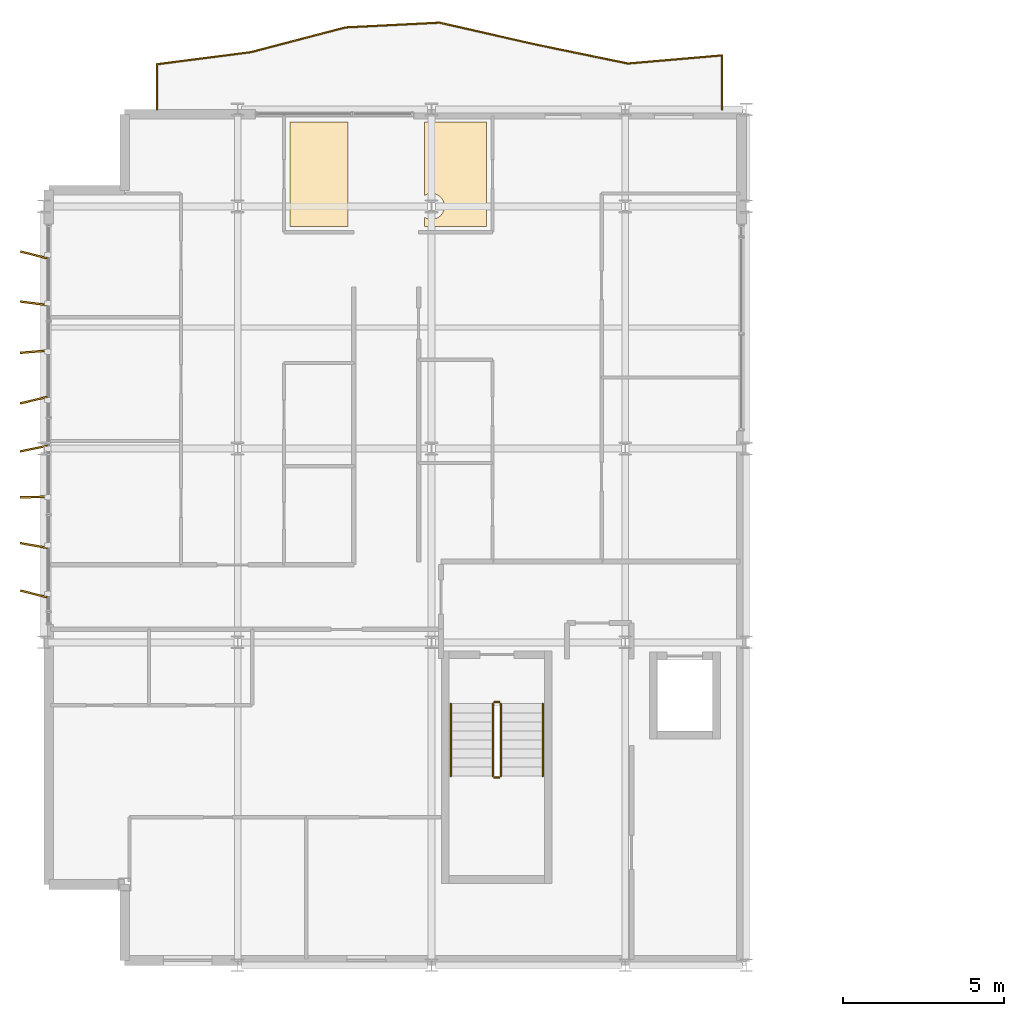
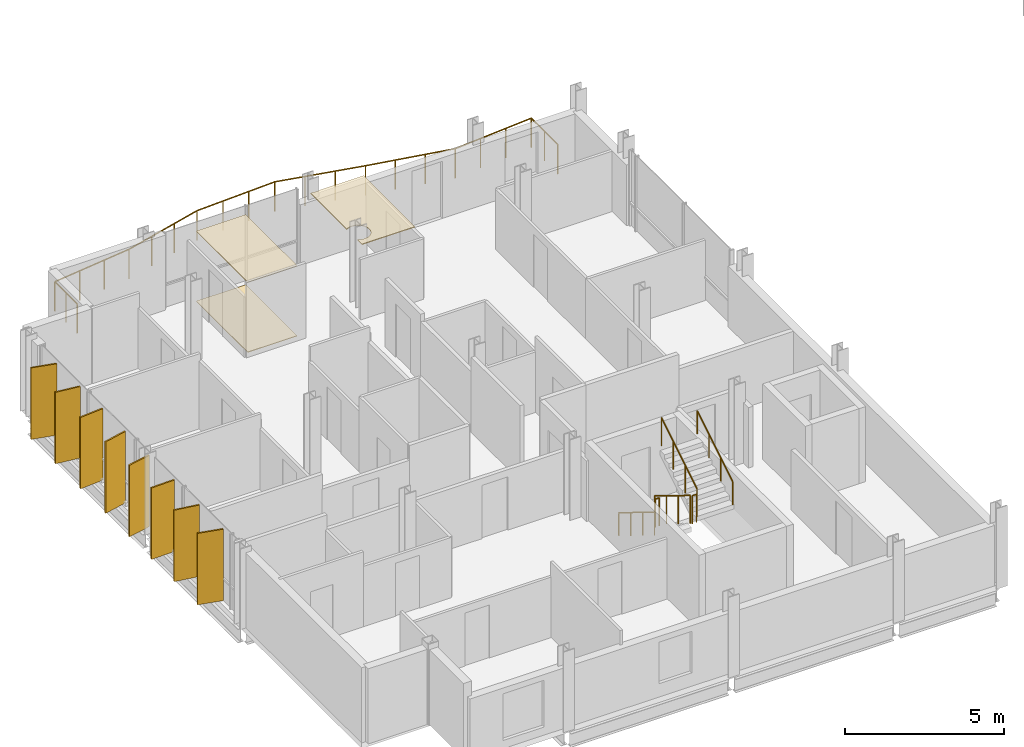
# One storey, part 27 of 28: 8 shading devices, 7 railings, 3 coverings.
"""IFC4 building model written with IfcOpenShell, lengths in metres."""

from ifc_helpers import new_model, si_unit, direction, frame, origin, origin_2d, place, context, subcontext, project, spatial, polyline, rectangle, circle, outline, extrude, material, layer, layer_set, type_object, element, save


model = new_model("IFC4")

# Units and contexts
model_context = context("Model", 3, precision=1e-05, world=origin(), true_north=direction((0.0, 1.0)))
body_context = subcontext(model_context, "Body", "Model", "MODEL_VIEW")
ifc_project = project(units=[si_unit("LENGTHUNIT", "METRE"), si_unit("AREAUNIT", "SQUARE_METRE"), si_unit("VOLUMEUNIT", "CUBIC_METRE"), si_unit("PLANEANGLEUNIT", "RADIAN"), si_unit("MASSUNIT", "GRAM", prefix="KILO")], contexts=[model_context])

# Site, building, storey
site_placement = place(None, origin())
site = spatial("IfcSite", under=ifc_project, at=site_placement, CompositionType="ELEMENT")
building_placement = place(site_placement, origin())
building = spatial("IfcBuilding", under=site, at=building_placement, Name="Brevholm Reach", CompositionType="ELEMENT")
storey_placement = place(building_placement, frame((0.0, 0.0, 192.5)))
storey = spatial("IfcBuildingStorey", under=building, at=storey_placement, Name="L58", CompositionType="ELEMENT", Elevation=192.5)

# Coverings
ifc_material_1 = material(Name="Moisture-Resistant Skimmed Gypsum Plasterboard Ceiling", Category="gypsum")
ifc_layer_1 = layer(ifc_material_1, 0.030029296875)
ifc_layer_set_1 = layer_set([ifc_layer_1], Name="Moisture-Resistant Skimmed Gypsum Plasterboard Ceiling")
covering_type_1 = type_object("IfcCoveringType", Name="COV-CLG-GYP", PredefinedType="CEILING", material=ifc_layer_set_1)
covering_1_placement = place(storey_placement, frame((0.0, 0.0, 2.68994140625)))
element("IfcCovering", 1, at=covering_1_placement, inside=storey, type_object=covering_type_1, Name="L58 Suspended Ceiling L58-28", PredefinedType="CEILING", context=body_context, shape_type="SweptSolid", body=[
    extrude(outline(polyline([(7.617919921875, 26.1201171875), (9.419921875, 26.1201171875), (9.419921875, 22.8798828125), (7.617919921875, 22.8798828125), (7.617919921875, 26.1201171875)])), origin(), (0.0, 0.0, 1.0), 0.030029296875),
])
covering_2_placement = place(storey_placement, frame((0.0, 0.0, 2.68994140625)))
element("IfcCovering", 2, at=covering_2_placement, inside=storey, type_object=covering_type_1, Name="L58 Suspended Ceiling L58-35", PredefinedType="CEILING", context=body_context, shape_type="SweptSolid", body=[
    extrude(outline(polyline([(11.780029296875, 23.166015625), (11.811279296875, 23.147216796875), (11.846923828125, 23.13037109375), (11.8837890625, 23.1171875), (11.922119140625, 23.107666015625), (11.960693359375, 23.101806640625), (12.0, 23.10009765625), (12.039306640625, 23.101806640625), (12.077880859375, 23.107666015625), (12.1162109375, 23.1171875), (12.153076171875, 23.13037109375), (12.188720703125, 23.147216796875), (12.22216796875, 23.16748046875), (12.25390625, 23.19091796875), (12.28271484375, 23.21728515625), (12.30908203125, 23.24609375), (12.33251953125, 23.27783203125), (12.352783203125, 23.311279296875), (12.36962890625, 23.346923828125), (12.3828125, 23.3837890625), (12.392333984375, 23.422119140625), (12.398193359375, 23.460693359375), (12.39990234375, 23.5), (12.398193359375, 23.539306640625), (12.392333984375, 23.577880859375), (12.3828125, 23.6162109375), (12.36962890625, 23.653076171875), (12.352783203125, 23.688720703125), (12.33251953125, 23.72216796875), (12.30908203125, 23.75390625), (12.28271484375, 23.78271484375), (12.25390625, 23.80908203125), (12.22216796875, 23.83251953125), (12.188720703125, 23.852783203125), (12.153076171875, 23.86962890625), (12.1162109375, 23.8828125), (12.077880859375, 23.892333984375), (12.039306640625, 23.898193359375), (12.0, 23.89990234375), (11.960693359375, 23.898193359375), (11.922119140625, 23.892333984375), (11.8837890625, 23.8828125), (11.846923828125, 23.86962890625), (11.811279296875, 23.852783203125), (11.780029296875, 23.833984375), (11.780029296875, 26.1201171875), (11.876220703125, 26.1201171875), (11.8837890625, 26.1171875), (11.922119140625, 26.107666015625), (11.960693359375, 26.101806640625), (12.0, 26.10009765625), (12.039306640625, 26.101806640625), (12.077880859375, 26.107666015625), (12.1162109375, 26.1171875), (12.123779296875, 26.1201171875), (13.708984375, 26.1201171875), (13.708984375, 22.8798828125), (11.780029296875, 22.8798828125), (11.780029296875, 23.166015625)])), origin(), (0.0, 0.0, 1.0), 0.030029296875),
])
ifc_material_2 = material(Name="Engineered European Oak Acoustic Plank Flooring", Category="timber")
ifc_layer_2 = layer(ifc_material_2, 0.02197265625)
ifc_layer_set_2 = layer_set([ifc_layer_2], Name="Engineered European Oak Acoustic Plank Flooring")
covering_type_2 = type_object("IfcCoveringType", Name="COV-FLR-OAK", PredefinedType="FLOORING", material=ifc_layer_set_2)
covering_3_placement = place(storey_placement, origin())
element("IfcCovering", 3, at=covering_3_placement, inside=storey, type_object=covering_type_2, Name="L58 Floor Finish L58-28", PredefinedType="FLOORING", context=body_context, shape_type="SweptSolid", body=[
    extrude(outline(polyline([(7.617919921875, 26.1201171875), (9.419921875, 26.1201171875), (9.419921875, 22.8798828125), (7.617919921875, 22.8798828125), (7.617919921875, 26.1201171875)])), origin(), (0.0, 0.0, 1.0), 0.02197265625),
])

# Railings
ifc_material_3 = material(Name="Brushed Stainless Steel EN 1.4401 and Laminated Glass", Category="steel")
railing_type_1 = type_object("IfcRailingType", Name="RAL-BALC-1150", PredefinedType="BALUSTRADE", material=ifc_material_3)
railing_1_placement = place(storey_placement, frame((21.0, 26.5, 0.0)))
element("IfcRailing", 4, at=railing_1_placement, inside=storey, type_object=railing_type_1, Name="L58 Guard Balustrade RAL-L58-BAL-NW", PredefinedType="BALUSTRADE", context=body_context, shape_type="SweptSolid", body=[
    extrude(circle(Radius=0.02392578125, at=origin_2d()), frame((0.0, 0.0, 1.1259765625), z_axis=(0.0, 1.0, 0.0), x_axis=(-1.0, 0.0, 0.0)), (0.0, 0.0, 1.0), 1.67822265625),
    extrude(circle(Radius=0.02392578125, at=origin_2d()), frame((0.0, 1.67822265625, 1.1259765625), z_axis=(-0.996282713287, -0.086143805376, 0.0), x_axis=(0.086143805376, -0.996282713287, 0.0)), (0.0, 0.0, 1.0), 2.927734375),
    extrude(circle(Radius=0.02392578125, at=origin_2d()), frame((-2.916748046875, 1.426025390625, 1.1259765625), z_axis=(-0.979367411888, 0.202087784221, 0.0), x_axis=(-0.202087784221, -0.979367411888, 0.0)), (0.0, 0.0, 1.0), 2.97802734375),
    extrude(circle(Radius=0.02392578125, at=origin_2d()), frame((-5.833251953125, 2.02783203125, 1.1259765625), z_axis=(-0.975066268344, 0.221913884961, 0.0), x_axis=(-0.221913884961, -0.975066268344, 0.0)), (0.0, 0.0, 1.0), 2.991455078125),
    extrude(circle(Radius=0.02392578125, at=origin_2d()), frame((-8.75, 2.691650390625, 1.1259765625), z_axis=(-0.998720239463, -0.050575520622, 0.0), x_axis=(0.050575520622, -0.998720239463, 0.0)), (0.0, 0.0, 1.0), 2.92041015625),
    extrude(circle(Radius=0.02392578125, at=origin_2d()), frame((-11.666748046875, 2.5439453125, 1.1259765625), z_axis=(-0.967287116441, -0.253684123205, 0.0), x_axis=(0.253684123205, -0.967287116441, 0.0)), (0.0, 0.0, 1.0), 3.01513671875),
    extrude(circle(Radius=0.02392578125, at=origin_2d()), frame((-14.583251953125, 1.779052734375, 1.1259765625), z_axis=(-0.991825721968, -0.127599910828, 0.0), x_axis=(0.127599910828, -0.991825721968, 0.0)), (0.0, 0.0, 1.0), 2.940673828125),
    extrude(circle(Radius=0.02392578125, at=origin_2d()), frame((-17.5, 1.40380859375, 1.1259765625), z_axis=(0.0, -1.0, 0.0), x_axis=(1.0, 0.0, 0.0)), (0.0, 0.0, 1.0), 1.40380859375),
    extrude(circle(Radius=0.02099609375, at=origin_2d()), origin(), (0.0, 0.0, 1.0), 1.101806640625),
    extrude(circle(Radius=0.02099609375, at=origin_2d()), frame((0.0, 0.839111328125, 0.0)), (0.0, 0.0, 1.0), 1.101806640625),
    extrude(circle(Radius=0.02099609375, at=origin_2d()), frame((0.0, 1.67822265625, 0.0)), (0.0, 0.0, 1.0), 1.101806640625),
    extrude(circle(Radius=0.02099609375, at=origin_2d()), frame((-0.97216796875, 1.59423828125, 0.0)), (0.0, 0.0, 1.0), 1.101806640625),
    extrude(circle(Radius=0.02099609375, at=origin_2d()), frame((-1.944580078125, 1.510009765625, 0.0)), (0.0, 0.0, 1.0), 1.101806640625),
    extrude(circle(Radius=0.02099609375, at=origin_2d()), frame((-2.916748046875, 1.426025390625, 0.0)), (0.0, 0.0, 1.0), 1.101806640625),
    extrude(circle(Radius=0.02099609375, at=origin_2d()), frame((-3.888916015625, 1.626708984375, 0.0)), (0.0, 0.0, 1.0), 1.101806640625),
    extrude(circle(Radius=0.02099609375, at=origin_2d()), frame((-4.861083984375, 1.8271484375, 0.0)), (0.0, 0.0, 1.0), 1.101806640625),
    extrude(circle(Radius=0.02099609375, at=origin_2d()), frame((-5.833251953125, 2.02783203125, 0.0)), (0.0, 0.0, 1.0), 1.101806640625),
    extrude(circle(Radius=0.02099609375, at=origin_2d()), frame((-6.805419921875, 2.2490234375, 0.0)), (0.0, 0.0, 1.0), 1.101806640625),
    extrude(circle(Radius=0.02099609375, at=origin_2d()), frame((-7.77783203125, 2.470458984375, 0.0)), (0.0, 0.0, 1.0), 1.101806640625),
    extrude(circle(Radius=0.02099609375, at=origin_2d()), frame((-8.75, 2.691650390625, 0.0)), (0.0, 0.0, 1.0), 1.101806640625),
    extrude(circle(Radius=0.02099609375, at=origin_2d()), frame((-9.72216796875, 2.642333984375, 0.0)), (0.0, 0.0, 1.0), 1.101806640625),
    extrude(circle(Radius=0.02099609375, at=origin_2d()), frame((-10.694580078125, 2.59326171875, 0.0)), (0.0, 0.0, 1.0), 1.101806640625),
    extrude(circle(Radius=0.02099609375, at=origin_2d()), frame((-11.666748046875, 2.5439453125, 0.0)), (0.0, 0.0, 1.0), 1.101806640625),
    extrude(circle(Radius=0.02099609375, at=origin_2d()), frame((-12.638916015625, 2.2890625, 0.0)), (0.0, 0.0, 1.0), 1.101806640625),
    extrude(circle(Radius=0.02099609375, at=origin_2d()), frame((-13.611083984375, 2.033935546875, 0.0)), (0.0, 0.0, 1.0), 1.101806640625),
    extrude(circle(Radius=0.02099609375, at=origin_2d()), frame((-14.583251953125, 1.779052734375, 0.0)), (0.0, 0.0, 1.0), 1.101806640625),
    extrude(circle(Radius=0.02099609375, at=origin_2d()), frame((-15.555419921875, 1.654052734375, 0.0)), (0.0, 0.0, 1.0), 1.101806640625),
    extrude(circle(Radius=0.02099609375, at=origin_2d()), frame((-16.52783203125, 1.52880859375, 0.0)), (0.0, 0.0, 1.0), 1.101806640625),
    extrude(circle(Radius=0.02099609375, at=origin_2d()), frame((-17.5, 1.40380859375, 0.0)), (0.0, 0.0, 1.0), 1.101806640625),
    extrude(circle(Radius=0.02099609375, at=origin_2d()), frame((-17.5, 0.701904296875, 0.0)), (0.0, 0.0, 1.0), 1.101806640625),
    extrude(circle(Radius=0.02099609375, at=origin_2d()), frame((-17.5, 0.0, 0.0)), (0.0, 0.0, 1.0), 1.101806640625),
])
ifc_material_4 = material(Name="Brushed Stainless Steel EN 1.4401 Continuous Handrail", Category="steel")
railing_type_2 = type_object("IfcRailingType", Name="RAL-HND-950", PredefinedType="HANDRAIL", material=ifc_material_4)
railing_2_placement = place(storey_placement, frame((12.60009765625, 8.10009765625, 0.172119140625)))
element("IfcRailing", 5, at=railing_2_placement, inside=storey, type_object=railing_type_2, Name="L58 ST-1 stair handrail 1", PredefinedType="HANDRAIL", context=body_context, shape_type="SweptSolid", body=[
    extrude(circle(Radius=0.02392578125, at=origin_2d()), frame((0.0, 0.0, 0.8857421875), z_axis=(0.0, -0.851747552033, 0.523952390591), x_axis=(1.0, 0.0, 0.0)), (0.0, 0.0, 1.0), 2.6298828125),
    extrude(circle(Radius=0.02099609375, at=origin_2d()), origin(), (0.0, 0.0, 1.0), 0.86181640625),
    extrude(circle(Radius=0.02099609375, at=origin_2d()), frame((0.0, -0.74658203125, 0.459228515625)), (0.0, 0.0, 1.0), 0.86181640625),
    extrude(circle(Radius=0.02099609375, at=origin_2d()), frame((0.0, -1.493408203125, 0.918701171875)), (0.0, 0.0, 1.0), 0.86181640625),
    extrude(circle(Radius=0.02099609375, at=origin_2d()), frame((0.0, -2.239990234375, 1.3779296875)), (0.0, 0.0, 1.0), 0.86181640625),
])
railing_3_placement = place(storey_placement, frame((15.449951171875, 5.860107421875, 1.72216796875)))
element("IfcRailing", 6, at=railing_3_placement, inside=storey, type_object=railing_type_2, Name="L58 ST-1 stair handrail 2", PredefinedType="HANDRAIL", context=body_context, shape_type="SweptSolid", body=[
    extrude(circle(Radius=0.02392578125, at=origin_2d()), frame((0.0, 0.0, 0.8857421875), z_axis=(0.0, 0.851747552033, 0.523952390591), x_axis=(-1.0, 0.0, 0.0)), (0.0, 0.0, 1.0), 2.6298828125),
    extrude(circle(Radius=0.02099609375, at=origin_2d()), origin(), (0.0, 0.0, 1.0), 0.86181640625),
    extrude(circle(Radius=0.02099609375, at=origin_2d()), frame((0.0, 0.74658203125, 0.459228515625)), (0.0, 0.0, 1.0), 0.86181640625),
    extrude(circle(Radius=0.02099609375, at=origin_2d()), frame((0.0, 1.493408203125, 0.918701171875)), (0.0, 0.0, 1.0), 0.86181640625),
    extrude(circle(Radius=0.02099609375, at=origin_2d()), frame((0.0, 2.239990234375, 1.3779296875)), (0.0, 0.0, 1.0), 0.86181640625),
])
ifc_material_5 = material(Name="Painted Tubular Galvanised Steel S275JR Stair Guard", Category="steel")
railing_type_3 = type_object("IfcRailingType", Name="RAL-STG-1120", PredefinedType="BALUSTRADE", material=ifc_material_5)
railing_4_placement = place(storey_placement, frame((13.89990234375, 8.10009765625, 0.172119140625)))
element("IfcRailing", 7, at=railing_4_placement, inside=storey, type_object=railing_type_3, Name="L58 ST-1 stair guard 1", PredefinedType="BALUSTRADE", context=body_context, shape_type="SweptSolid", body=[
    extrude(circle(Radius=0.02392578125, at=origin_2d()), frame((0.0, 0.0, 1.076171875), z_axis=(0.0, -0.851747552033, 0.523952390591), x_axis=(1.0, 0.0, 0.0)), (0.0, 0.0, 1.0), 2.6298828125),
    extrude(circle(Radius=0.02099609375, at=origin_2d()), origin(), (0.0, 0.0, 1.0), 1.052001953125),
    extrude(circle(Radius=0.02099609375, at=origin_2d()), frame((0.0, -0.74658203125, 0.459228515625)), (0.0, 0.0, 1.0), 1.052001953125),
    extrude(circle(Radius=0.02099609375, at=origin_2d()), frame((0.0, -1.493408203125, 0.918701171875)), (0.0, 0.0, 1.0), 1.052001953125),
    extrude(circle(Radius=0.02099609375, at=origin_2d()), frame((0.0, -2.239990234375, 1.3779296875)), (0.0, 0.0, 1.0), 1.052001953125),
])
railing_5_placement = place(storey_placement, frame((13.949951171875, 5.81005859375, 1.550048828125)))
element("IfcRailing", 8, at=railing_5_placement, inside=storey, type_object=railing_type_3, Name="L58 ST-1 stair guard 2", PredefinedType="BALUSTRADE", context=body_context, shape_type="SweptSolid", body=[
    extrude(circle(Radius=0.02392578125, at=origin_2d()), frame((0.0, 0.0, 1.076171875), z_axis=(1.0, 0.0, 0.0), x_axis=(0.0, 1.0, 0.0)), (0.0, 0.0, 1.0), 0.150146484375),
    extrude(circle(Radius=0.02099609375, at=origin_2d()), origin(), (0.0, 0.0, 1.0), 1.052001953125),
    extrude(circle(Radius=0.02099609375, at=origin_2d()), frame((0.150146484375, 0.0, 0.0)), (0.0, 0.0, 1.0), 1.052001953125),
])
railing_6_placement = place(storey_placement, frame((14.14990234375, 5.860107421875, 1.72216796875)))
element("IfcRailing", 9, at=railing_6_placement, inside=storey, type_object=railing_type_3, Name="L58 ST-1 stair guard 3", PredefinedType="BALUSTRADE", context=body_context, shape_type="SweptSolid", body=[
    extrude(circle(Radius=0.02392578125, at=origin_2d()), frame((0.0, 0.0, 1.076171875), z_axis=(0.0, 0.851747552033, 0.523952390591), x_axis=(-1.0, 0.0, 0.0)), (0.0, 0.0, 1.0), 2.6298828125),
    extrude(circle(Radius=0.02099609375, at=origin_2d()), origin(), (0.0, 0.0, 1.0), 1.052001953125),
    extrude(circle(Radius=0.02099609375, at=origin_2d()), frame((0.0, 0.74658203125, 0.459228515625)), (0.0, 0.0, 1.0), 1.052001953125),
    extrude(circle(Radius=0.02099609375, at=origin_2d()), frame((0.0, 1.493408203125, 0.918701171875)), (0.0, 0.0, 1.0), 1.052001953125),
    extrude(circle(Radius=0.02099609375, at=origin_2d()), frame((0.0, 2.239990234375, 1.3779296875)), (0.0, 0.0, 1.0), 1.052001953125),
])
railing_7_placement = place(storey_placement, frame((13.949951171875, 8.14990234375, 0.0)))
element("IfcRailing", 10, at=railing_7_placement, inside=storey, type_object=railing_type_3, Name="L58 ST-1 stair guard 4", PredefinedType="BALUSTRADE", context=body_context, shape_type="SweptSolid", body=[
    extrude(circle(Radius=0.02392578125, at=origin_2d()), frame((0.0, 0.0, 1.076171875), z_axis=(1.0, 0.0, 0.0), x_axis=(0.0, 1.0, 0.0)), (0.0, 0.0, 1.0), 0.150146484375),
    extrude(circle(Radius=0.02099609375, at=origin_2d()), origin(), (0.0, 0.0, 1.0), 1.052001953125),
    extrude(circle(Radius=0.02099609375, at=origin_2d()), frame((0.150146484375, 0.0, 0.0)), (0.0, 0.0, 1.0), 1.052001953125),
])

# Shading devices
ifc_material_6 = material(Name="Perforated Champagne-Bronze Anodised Aluminium", Category="aluminium")
ifc_layer_3 = layer(ifc_material_6, 0.054931640625)
ifc_layer_set_3 = layer_set([ifc_layer_3], Name="Perforated Champagne-Bronze Anodised Aluminium")
shading_device_type = type_object("IfcShadingDeviceType", Name="SHD-FIN-850", PredefinedType="USERDEFINED", material=ifc_layer_set_3)
for number, where, z_axis, x_axis, name in (
    (11, (-0.31494140625, 11.5, 0.070068359375), (0.0, 0.0, 1.0), (-0.970720674201, 0.240211100242, 0.0), "L58 Perforated Solar Screen Fin 1"),
    (12, (-0.31494140625, 13.0, 0.070068359375), (0.0, 0.0, 1.0), (-0.984868307662, 0.173304404339, 0.0), "L58 Perforated Solar Screen Fin 2"),
    (13, (-0.31494140625, 14.5, 0.070068359375), (0.0, 0.0, 1.0), (-0.999678019, -0.025374363619, 0.0), "L58 Perforated Solar Screen Fin 3"),
    (14, (-0.31494140625, 16.0, 0.070068359375), (0.0, 0.0, 1.0), (-0.978892365362, -0.204376459104, 0.0), "L58 Perforated Solar Screen Fin 4"),
    (15, (-0.31494140625, 17.5, 0.070068359375), (0.0, 0.0, 1.0), (-0.973371257264, -0.229234368129, 0.0), "L58 Perforated Solar Screen Fin 5"),
    (16, (-0.31494140625, 19.0, 0.070068359375), (0.0, 0.0, 1.0), (-0.996592907944, -0.08247772933, 0.0), "L58 Perforated Solar Screen Fin 6"),
    (17, (-0.31494140625, 20.5, 0.070068359375), (0.0, 0.0, 1.0), (-0.991778713921, 0.127964770988, 0.0), "L58 Perforated Solar Screen Fin 7"),
    (18, (-0.31494140625, 22.0, 0.070068359375), (0.0, 0.0, 1.0), (-0.970720674201, 0.240211100242, 0.0), "L58 Perforated Solar Screen Fin 8"),
):
    element("IfcShadingDevice", number, at=place(storey_placement, frame(where, z_axis=z_axis, x_axis=x_axis)), inside=storey, type_object=shading_device_type, Name=name, ObjectType="SCREEN", PredefinedType="USERDEFINED", context=body_context, shape_type="SweptSolid", body=[
        extrude(rectangle(XDim=0.85009765625, YDim=0.054931640625, at=origin_2d()), origin(), (0.0, 0.0, 1.0), 2.75),
    ])

save(model, "model.ifc")
